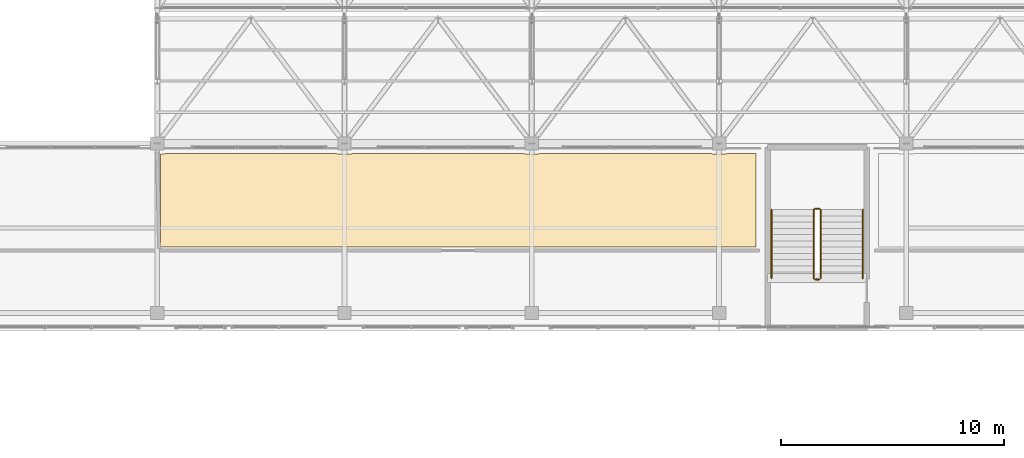
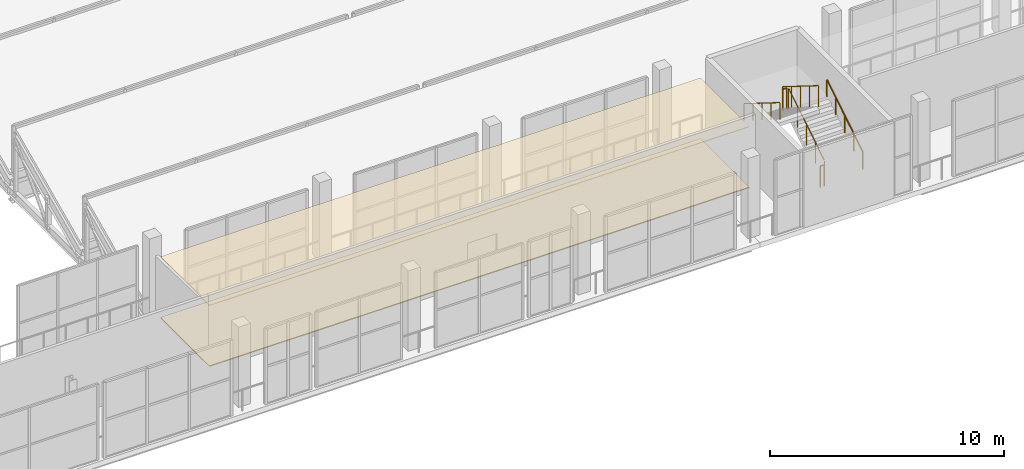
# One storey, part 214 of 217: 6 railings, 2 coverings.
"""IFC4 building model written with IfcOpenShell, lengths in metres."""

import ifcopenshell
import ifcopenshell.guid

model = None  # the IFC model being written
_history = None  # IfcOwnerHistory: only IFC2X3 demands one
_inside = {}  # id of a spatial element -> (the spatial element, [elements in it])
_under = {}  # id of a project, library or spatial element -> (it, [spatial elements below it])
_declared = {}  # id of a project -> (the project, [libraries it declares])
_typed = {}  # id of a type object -> (the type object, [elements of that type])
_made_of = {}  # id of a material, layer set ... -> (it, [elements and type objects made of it])


def new_model(schema):
    """Start an empty IFC model of exactly this schema.

    Asked for "IFC4X3", IfcOpenShell would pick the latest addendum, in which some entities
    have other attributes; the version numbers below select the first issue.
    IFC2X3 requires an IfcOwnerHistory on every rooted entity: one is made here for all.
    """
    global model, _history
    if schema == "IFC4X3":
        model = ifcopenshell.file(schema_version=(4, 3, 0, 0))
    else:
        model = ifcopenshell.file(schema=schema)
    _inside.clear()
    _under.clear()
    _declared.clear()
    _typed.clear()
    _made_of.clear()
    _history = None
    if model.schema == "IFC2X3":
        org = make("IfcOrganization", Name="unknown")
        user = make(
            "IfcPersonAndOrganization",
            ThePerson=make("IfcPerson", FamilyName="unknown"),
            TheOrganization=org,
        )
        app = make(
            "IfcApplication",
            ApplicationDeveloper=org,
            Version="unknown",
            ApplicationFullName="unknown",
            ApplicationIdentifier="unknown",
        )
        _history = make(
            "IfcOwnerHistory",
            OwningUser=user,
            OwningApplication=app,
            ChangeAction="ADDED",
            CreationDate=0,
        )
    return model


def make(cls, **values):
    """One entity of the class cls with the attributes given. An attribute that is None is left unset."""
    return model.create_entity(
        cls, **{name: value for name, value in values.items() if value is not None}
    )


def rooted(cls, **values):
    """An entity with a GlobalId (a new one), such as an element, a storey or a relation."""
    return make(cls, GlobalId=ifcopenshell.guid.new(), OwnerHistory=_history, **values)


def si_unit(unit_type, name, prefix=None):
    """IfcSIUnit, for example si_unit("LENGTHUNIT", "METRE", prefix="MILLI")."""
    return make("IfcSIUnit", UnitType=unit_type, Prefix=prefix, Name=name)


def assignment(units):
    """IfcUnitAssignment: the units of a project."""
    return None if units is None else make("IfcUnitAssignment", Units=units)


def point(xyz):
    """IfcCartesianPoint."""
    return None if xyz is None else make("IfcCartesianPoint", Coordinates=xyz)


def direction(xyz):
    """IfcDirection."""
    return None if xyz is None else make("IfcDirection", DirectionRatios=xyz)


def frame(location, z_axis=None, x_axis=None):
    """IfcAxis2Placement3D, a coordinate frame: its origin and axes. An axis left out is left unset."""
    return make(
        "IfcAxis2Placement3D",
        Location=point(location),
        Axis=direction(z_axis),
        RefDirection=direction(x_axis),
    )


def frame_2d(location, x_axis=None):
    """IfcAxis2Placement2D, a coordinate frame in the plane: its origin and x axis."""
    return make(
        "IfcAxis2Placement2D", Location=point(location), RefDirection=direction(x_axis)
    )


def origin():
    """The frame at (0, 0, 0) with its axes left unset."""
    return frame((0.0, 0.0, 0.0))


def origin_2d():
    """The frame at (0, 0) in the plane with its x axis left unset."""
    return frame_2d((0.0, 0.0))


def place(relative_to, where):
    """IfcLocalPlacement: puts the frame where relative to a parent placement (None: the world)."""
    return make(
        "IfcLocalPlacement", PlacementRelTo=relative_to, RelativePlacement=where
    )


def context(
    kind, dimensions, precision=None, world=None, true_north=None, identifier=None
):
    """IfcGeometricRepresentationContext, for example the 3D "Model" context."""
    return make(
        "IfcGeometricRepresentationContext",
        ContextIdentifier=identifier,
        ContextType=kind,
        CoordinateSpaceDimension=dimensions,
        Precision=precision,
        WorldCoordinateSystem=world,
        TrueNorth=true_north,
    )


def subcontext(parent, identifier, kind, view, scale=None):
    """IfcGeometricRepresentationSubContext, for example "Body" below "Model"."""
    return make(
        "IfcGeometricRepresentationSubContext",
        ContextIdentifier=identifier,
        ContextType=kind,
        ParentContext=parent,
        TargetScale=scale,
        TargetView=view,
    )


def project(units=None, contexts=None):
    """IfcProject with its units and contexts."""
    return rooted(
        "IfcProject",
        Name="project",
        RepresentationContexts=contexts,
        UnitsInContext=assignment(units),
    )


def spatial(cls, under=None, at=None, **own):
    """A site, building, storey or space (cls), placed at a placement, below another one or the project."""
    s = rooted(cls, ObjectPlacement=at, **own)
    if under is not None:
        _under.setdefault(under.id(), (under, []))[1].append(s)
    return s


def polyline(points):
    """IfcPolyline through the points."""
    return make("IfcPolyline", Points=[point(p) for p in points])


def profile(cls, at=None, kind="AREA", **sizes):
    """A parametric profile (cls). Its sizes go by their IFC names, for example OverallWidth=200.0."""
    return make(cls, ProfileType=kind, Position=at, **sizes)


def circle(**sizes):
    """IfcCircleProfileDef."""
    return profile("IfcCircleProfileDef", **sizes)


def outline(outer, holes=None, kind="AREA"):
    """IfcArbitraryClosedProfileDef: a profile drawn as a closed curve; with holes, ...WithVoids."""
    if holes is None:
        return make("IfcArbitraryClosedProfileDef", ProfileType=kind, OuterCurve=outer)
    return make(
        "IfcArbitraryProfileDefWithVoids",
        ProfileType=kind,
        OuterCurve=outer,
        InnerCurves=holes,
    )


def extrude(swept, where, along, depth):
    """IfcExtrudedAreaSolid: the profile swept, set in the frame where, extruded along a direction by depth."""
    return make(
        "IfcExtrudedAreaSolid",
        SweptArea=swept,
        Position=where,
        ExtrudedDirection=direction(along),
        Depth=depth,
    )


def shape(context_of_items, identifier, shape_type, items):
    """IfcShapeRepresentation: the items that make up one representation, for example the "Body"."""
    return make(
        "IfcShapeRepresentation",
        ContextOfItems=context_of_items,
        RepresentationIdentifier=identifier,
        RepresentationType=shape_type,
        Items=items,
    )


def material(Name=None, Category=None):
    """IfcMaterial."""
    return make("IfcMaterial", Name=Name, Category=Category)


def layer(
    of_material, thickness, ventilated=None, Name=None, Category=None, Priority=None
):
    """IfcMaterialLayer: one layer of a wall or slab, of a material (None: an air gap)."""
    return make(
        "IfcMaterialLayer",
        Material=of_material,
        LayerThickness=thickness,
        IsVentilated=ventilated,
        Name=Name,
        Category=Category,
        Priority=Priority,
    )


def layer_set(layers, Name=None):
    """IfcMaterialLayerSet."""
    return make("IfcMaterialLayerSet", MaterialLayers=layers, LayerSetName=Name)


def made_of(thing, what):
    """Note that an element or type object is made of a material, layer set ...; save() writes the relation."""
    if what is not None:
        _made_of.setdefault(what.id(), (what, []))[1].append(thing)
    return thing


def type_object(cls, material=None, **own):
    """A type object (cls), such as IfcWallType, which elements share."""
    return made_of(rooted(cls, **own), material)


def element(
    cls,
    number,
    at=None,
    inside=None,
    cuts=None,
    type_object=None,
    material=None,
    context=None,
    identifier="Body",
    shape_type=None,
    held_by="IfcProductDefinitionShape",
    body=None,
    shapes=None,
    **own,
):
    """One element of the class cls, such as IfcWall. Its Tag is "e" and its number.

    at: its placement. inside: the storey or other place that contains it. cuts: it is an
    opening in that element (IfcRelVoidsElement). A single representation is given by context,
    identifier, shape_type and body (its items); several are given by shapes. held_by: the class
    of the entity that holds the representations. save() writes the other relations.
    """
    e = rooted(cls, Tag="e%d" % number, ObjectPlacement=at, **own)
    if body is not None:
        shapes = [shape(context, identifier, shape_type, body)]
    if shapes is not None:
        e.Representation = make(held_by, Representations=shapes)
    if inside is not None:
        _inside.setdefault(inside.id(), (inside, []))[1].append(e)
    if cuts is not None:
        rooted(
            "IfcRelVoidsElement", RelatingBuildingElement=cuts, RelatedOpeningElement=e
        )
    if type_object is not None:
        _typed.setdefault(type_object.id(), (type_object, []))[1].append(e)
    return made_of(e, material)


def aggregate(whole, parts):
    """IfcRelAggregates: a whole, such as a stair, and the parts it consists of."""
    return rooted("IfcRelAggregates", RelatingObject=whole, RelatedObjects=parts)


def save(model, path):
    """Write the relations noted so far, then the file.

    IfcRelAggregates (storeys below a building ...), IfcRelContainedInSpatialStructure (elements
    in a storey), IfcRelDefinesByType, IfcRelAssociatesMaterial and IfcRelDeclares: one each for
    every whole, place, type object, material and project.
    """
    for whole, parts in _under.values():
        aggregate(whole, parts)
    for where, things in _inside.values():
        rooted(
            "IfcRelContainedInSpatialStructure",
            RelatedElements=things,
            RelatingStructure=where,
        )
    for kind, things in _typed.values():
        rooted("IfcRelDefinesByType", RelatedObjects=things, RelatingType=kind)
    for what, things in _made_of.values():
        rooted("IfcRelAssociatesMaterial", RelatedObjects=things, RelatingMaterial=what)
    for by, libraries in _declared.values():
        rooted("IfcRelDeclares", RelatingContext=by, RelatedDefinitions=libraries)
    model.write(path)


model = new_model("IFC4")

# Units and contexts
model_context = context("Model", 3, precision=1e-05, world=origin(), true_north=direction((0.0, 1.0)))
body_context = subcontext(model_context, "Body", "Model", "MODEL_VIEW")
ifc_project = project(units=[si_unit("LENGTHUNIT", "METRE"), si_unit("AREAUNIT", "SQUARE_METRE"), si_unit("VOLUMEUNIT", "CUBIC_METRE"), si_unit("PLANEANGLEUNIT", "RADIAN"), si_unit("MASSUNIT", "GRAM", prefix="KILO")], contexts=[model_context])

# Site, building, storey
site_placement = place(None, origin())
site = spatial("IfcSite", under=ifc_project, at=site_placement, CompositionType="ELEMENT")
building_placement = place(site_placement, origin())
building = spatial("IfcBuilding", under=site, at=building_placement, Name="Zuvorla Pavilion Media Centre", CompositionType="ELEMENT")
storey_placement = place(building_placement, frame((0.0, 0.0, 9.60009765625)))
storey = spatial("IfcBuildingStorey", under=building, at=storey_placement, Name="L02", CompositionType="ELEMENT", Elevation=9.60009765625)

# Coverings
ifc_material_1 = material(Name="Perforated gypsum acoustic studio ceiling")
ifc_layer_1 = layer(ifc_material_1, 0.0400390625)
ifc_layer_set_1 = layer_set([ifc_layer_1], Name="Perforated gypsum acoustic studio ceiling")
covering_type_1 = type_object("IfcCoveringType", Name="COV-CLG-ACOUST", PredefinedType="CEILING", material=ifc_layer_set_1)
covering_1_placement = place(storey_placement, frame((0.0, 0.0, 3.179931640625)))
element("IfcCovering", 1, at=covering_1_placement, inside=storey, type_object=covering_type_1, Name="L02 acoustic ceiling 4", PredefinedType="CEILING", context=body_context, shape_type="SweptSolid", body=[
    extrude(outline(polyline([(66.949951171875, 89.139892578125), (67.110107421875, 89.139892578125), (67.124755859375, 89.140625), (67.139404296875, 89.142822265625), (67.153564453125, 89.146484375), (67.163330078125, 89.14990234375), (74.836669921875, 89.14990234375), (74.846435546875, 89.146484375), (74.860595703125, 89.142822265625), (74.875244140625, 89.140625), (74.889892578125, 89.139892578125), (75.510009765625, 89.139892578125), (75.524658203125, 89.140625), (75.539306640625, 89.142822265625), (75.553466796875, 89.146484375), (75.5634765625, 89.14990234375), (83.236572265625, 89.14990234375), (83.24658203125, 89.146484375), (83.2607421875, 89.142822265625), (83.275390625, 89.140625), (83.2900390625, 89.139892578125), (83.909912109375, 89.139892578125), (83.9248046875, 89.140625), (83.939208984375, 89.142822265625), (83.95361328125, 89.146484375), (83.96337890625, 89.14990234375), (91.63671875, 89.14990234375), (91.646484375, 89.146484375), (91.66064453125, 89.142822265625), (91.67529296875, 89.140625), (91.68994140625, 89.139892578125), (92.31005859375, 89.139892578125), (92.32470703125, 89.140625), (92.33935546875, 89.142822265625), (92.353515625, 89.146484375), (92.36328125, 89.14990234375), (93.64990234375, 89.14990234375), (93.64990234375, 84.9599609375), (66.949951171875, 84.9599609375), (66.949951171875, 89.139892578125)])), origin(), (0.0, 0.0, 1.0), 0.0400390625),
])
ifc_material_2 = material(Name="Floating resilient acoustic hardwood studio floor", Category="wood")
ifc_layer_2 = layer(ifc_material_2, 0.050048828125)
ifc_layer_set_2 = layer_set([ifc_layer_2], Name="Floating resilient acoustic hardwood studio floor")
covering_type_2 = type_object("IfcCoveringType", Name="COV-FLR-ACOUST", PredefinedType="FLOORING", material=ifc_layer_set_2)
covering_2_placement = place(storey_placement, origin())
element("IfcCovering", 2, at=covering_2_placement, inside=storey, type_object=covering_type_2, Name="L02 acoustic studio floor 8", PredefinedType="FLOORING", context=body_context, shape_type="SweptSolid", body=[
    extrude(outline(polyline([(66.949951171875, 89.139892578125), (67.110107421875, 89.139892578125), (67.124755859375, 89.140625), (67.139404296875, 89.142822265625), (67.153564453125, 89.146484375), (67.163330078125, 89.14990234375), (74.836669921875, 89.14990234375), (74.846435546875, 89.146484375), (74.860595703125, 89.142822265625), (74.875244140625, 89.140625), (74.889892578125, 89.139892578125), (75.510009765625, 89.139892578125), (75.524658203125, 89.140625), (75.539306640625, 89.142822265625), (75.553466796875, 89.146484375), (75.5634765625, 89.14990234375), (83.236572265625, 89.14990234375), (83.24658203125, 89.146484375), (83.2607421875, 89.142822265625), (83.275390625, 89.140625), (83.2900390625, 89.139892578125), (83.909912109375, 89.139892578125), (83.9248046875, 89.140625), (83.939208984375, 89.142822265625), (83.95361328125, 89.146484375), (83.96337890625, 89.14990234375), (91.63671875, 89.14990234375), (91.646484375, 89.146484375), (91.66064453125, 89.142822265625), (91.67529296875, 89.140625), (91.68994140625, 89.139892578125), (92.31005859375, 89.139892578125), (92.32470703125, 89.140625), (92.33935546875, 89.142822265625), (92.353515625, 89.146484375), (92.36328125, 89.14990234375), (93.64990234375, 89.14990234375), (93.64990234375, 84.9599609375), (66.949951171875, 84.9599609375), (66.949951171875, 89.139892578125)])), origin(), (0.0, 0.0, 1.0), 0.0498046875),
])

# Railings
ifc_material_3 = material(Name="Powder-coated steel balustrade guard", Category="steel")
railing_type_1 = type_object("IfcRailingType", Name="RL-INT-GRD", PredefinedType="BALUSTRADE", material=ifc_material_3)
railing_1_placement = place(storey_placement, frame((96.550048828125, 83.550048828125, 0.1748046875)))
element("IfcRailing", 3, at=railing_1_placement, inside=storey, type_object=railing_type_1, Name="L02 ST-05 stair guard 1", PredefinedType="BALUSTRADE", context=body_context, shape_type="SweptSolid", body=[
    extrude(circle(Radius=0.02392578125, at=origin_2d()), frame((0.0, 0.0244140625, 1.111328125), z_axis=(0.0, 0.847979421464, 0.530029150871), x_axis=(-1.0, 0.0, 0.0)), (0.0, 0.0, 1.0), 3.57421875),
    extrude(circle(Radius=0.02099609375, at=origin_2d()), origin(), (0.0, 0.0, 1.0), 1.070068359375),
    extrude(circle(Radius=0.02099609375, at=origin_2d()), frame((0.0, 0.77001953125, 0.481201171875)), (0.0, 0.0, 1.0), 1.070068359375),
    extrude(circle(Radius=0.02099609375, at=origin_2d()), frame((0.0, 1.5400390625, 0.96240234375)), (0.0, 0.0, 1.0), 1.070068359375),
    extrude(circle(Radius=0.02099609375, at=origin_2d()), frame((0.0, 2.309814453125, 1.44384765625)), (0.0, 0.0, 1.0), 1.070068359375),
    extrude(circle(Radius=0.02099609375, at=origin_2d()), frame((0.0, 3.079833984375, 1.925048828125)), (0.0, 0.0, 1.0), 1.070068359375),
])
railing_2_placement = place(storey_placement, frame((96.5, 86.679931640625, 2.099853515625)))
element("IfcRailing", 4, at=railing_2_placement, inside=storey, type_object=railing_type_1, Name="L02 ST-05 stair guard 2", PredefinedType="BALUSTRADE", context=body_context, shape_type="SweptSolid", body=[
    extrude(circle(Radius=0.02392578125, at=origin_2d()), frame((-0.02880859375, 0.0, 1.09619140625), z_axis=(-1.0, 0.0, 0.0), x_axis=(0.0, -1.0, 0.0)), (0.0, 0.0, 1.0), 0.142333984375),
    extrude(circle(Radius=0.02099609375, at=origin_2d()), origin(), (0.0, 0.0, 1.0), 1.070068359375),
    extrude(circle(Radius=0.02099609375, at=origin_2d()), frame((-0.199951171875, 0.0, 0.0)), (0.0, 0.0, 1.0), 1.070068359375),
])
railing_3_placement = place(storey_placement, frame((96.25, 86.6298828125, 2.27490234375)))
element("IfcRailing", 5, at=railing_3_placement, inside=storey, type_object=railing_type_1, Name="L02 ST-05 stair guard 3", PredefinedType="BALUSTRADE", context=body_context, shape_type="SweptSolid", body=[
    extrude(circle(Radius=0.02392578125, at=origin_2d()), frame((0.0, -0.0244140625, 1.111328125), z_axis=(0.0, -0.847979421464, 0.530029150871), x_axis=(1.0, 0.0, 0.0)), (0.0, 0.0, 1.0), 3.57421875),
    extrude(circle(Radius=0.02099609375, at=origin_2d()), origin(), (0.0, 0.0, 1.0), 1.070068359375),
    extrude(circle(Radius=0.02099609375, at=origin_2d()), frame((0.0, -0.77001953125, 0.481201171875)), (0.0, 0.0, 1.0), 1.070068359375),
    extrude(circle(Radius=0.02099609375, at=origin_2d()), frame((0.0, -1.5400390625, 0.96240234375)), (0.0, 0.0, 1.0), 1.070068359375),
    extrude(circle(Radius=0.02099609375, at=origin_2d()), frame((0.0, -2.309814453125, 1.44384765625)), (0.0, 0.0, 1.0), 1.070068359375),
    extrude(circle(Radius=0.02099609375, at=origin_2d()), frame((0.0, -3.079833984375, 1.925048828125)), (0.0, 0.0, 1.0), 1.070068359375),
])
railing_4_placement = place(storey_placement, frame((96.5, 83.5, 0.0)))
element("IfcRailing", 6, at=railing_4_placement, inside=storey, type_object=railing_type_1, Name="L02 ST-05 stair guard 4", PredefinedType="BALUSTRADE", context=body_context, shape_type="SweptSolid", body=[
    extrude(circle(Radius=0.02392578125, at=origin_2d()), frame((-0.02880859375, 0.0, 1.09619140625), z_axis=(-1.0, 0.0, 0.0), x_axis=(0.0, -1.0, 0.0)), (0.0, 0.0, 1.0), 0.142333984375),
    extrude(circle(Radius=0.02099609375, at=origin_2d()), origin(), (0.0, 0.0, 1.0), 1.070068359375),
    extrude(circle(Radius=0.02099609375, at=origin_2d()), frame((-0.199951171875, 0.0, 0.0)), (0.0, 0.0, 1.0), 1.070068359375),
])
ifc_material_4 = material(Name="Brushed stainless steel tubular handrail", Category="steel")
railing_type_2 = type_object("IfcRailingType", Name="RL-INT-HND", PredefinedType="HANDRAIL", material=ifc_material_4)
railing_5_placement = place(storey_placement, frame((98.449951171875, 83.550048828125, 0.1748046875)))
element("IfcRailing", 7, at=railing_5_placement, inside=storey, type_object=railing_type_2, Name="L02 ST-05 handrail 1", PredefinedType="HANDRAIL", context=body_context, shape_type="SweptSolid", body=[
    extrude(circle(Radius=0.02392578125, at=origin_2d()), frame((0.0, 0.0244140625, 0.89111328125), z_axis=(0.0, 0.847979421464, 0.530029150871), x_axis=(-1.0, 0.0, 0.0)), (0.0, 0.0, 1.0), 3.57421875),
    extrude(circle(Radius=0.02099609375, at=origin_2d()), origin(), (0.0, 0.0, 1.0), 0.849853515625),
    extrude(circle(Radius=0.02099609375, at=origin_2d()), frame((0.0, 0.77001953125, 0.481201171875)), (0.0, 0.0, 1.0), 0.849853515625),
    extrude(circle(Radius=0.02099609375, at=origin_2d()), frame((0.0, 1.5400390625, 0.96240234375)), (0.0, 0.0, 1.0), 0.849853515625),
    extrude(circle(Radius=0.02099609375, at=origin_2d()), frame((0.0, 2.309814453125, 1.44384765625)), (0.0, 0.0, 1.0), 0.849853515625),
    extrude(circle(Radius=0.02099609375, at=origin_2d()), frame((0.0, 3.079833984375, 1.925048828125)), (0.0, 0.0, 1.0), 0.849853515625),
])
railing_6_placement = place(storey_placement, frame((94.35009765625, 86.6298828125, 2.27490234375)))
element("IfcRailing", 8, at=railing_6_placement, inside=storey, type_object=railing_type_2, Name="L02 ST-05 handrail 2", PredefinedType="HANDRAIL", context=body_context, shape_type="SweptSolid", body=[
    extrude(circle(Radius=0.02392578125, at=origin_2d()), frame((0.0, -0.0244140625, 0.89111328125), z_axis=(0.0, -0.847979421464, 0.530029150871), x_axis=(1.0, 0.0, 0.0)), (0.0, 0.0, 1.0), 3.57421875),
    extrude(circle(Radius=0.02099609375, at=origin_2d()), origin(), (0.0, 0.0, 1.0), 0.849853515625),
    extrude(circle(Radius=0.02099609375, at=origin_2d()), frame((0.0, -0.77001953125, 0.481201171875)), (0.0, 0.0, 1.0), 0.849853515625),
    extrude(circle(Radius=0.02099609375, at=origin_2d()), frame((0.0, -1.5400390625, 0.96240234375)), (0.0, 0.0, 1.0), 0.849853515625),
    extrude(circle(Radius=0.02099609375, at=origin_2d()), frame((0.0, -2.309814453125, 1.44384765625)), (0.0, 0.0, 1.0), 0.849853515625),
    extrude(circle(Radius=0.02099609375, at=origin_2d()), frame((0.0, -3.079833984375, 1.925048828125)), (0.0, 0.0, 1.0), 0.849853515625),
])

save(model, "model.ifc")
